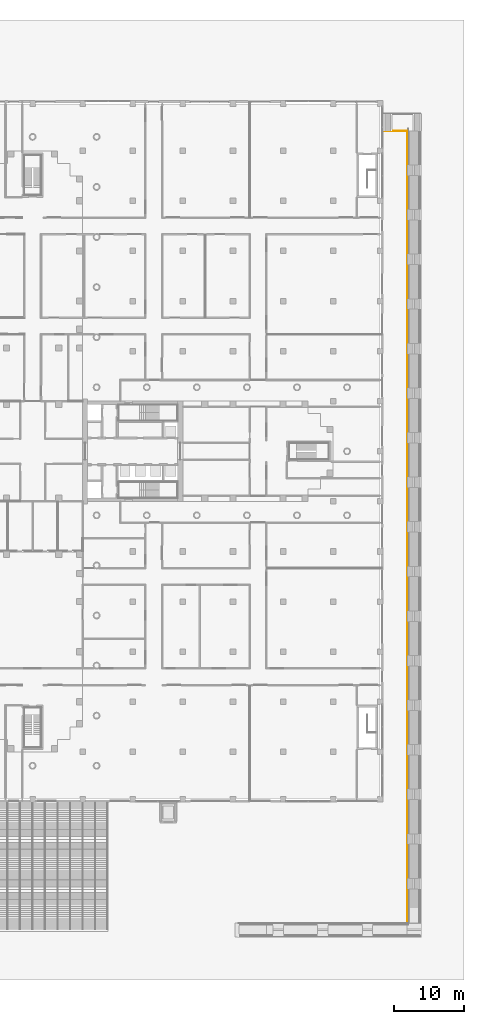
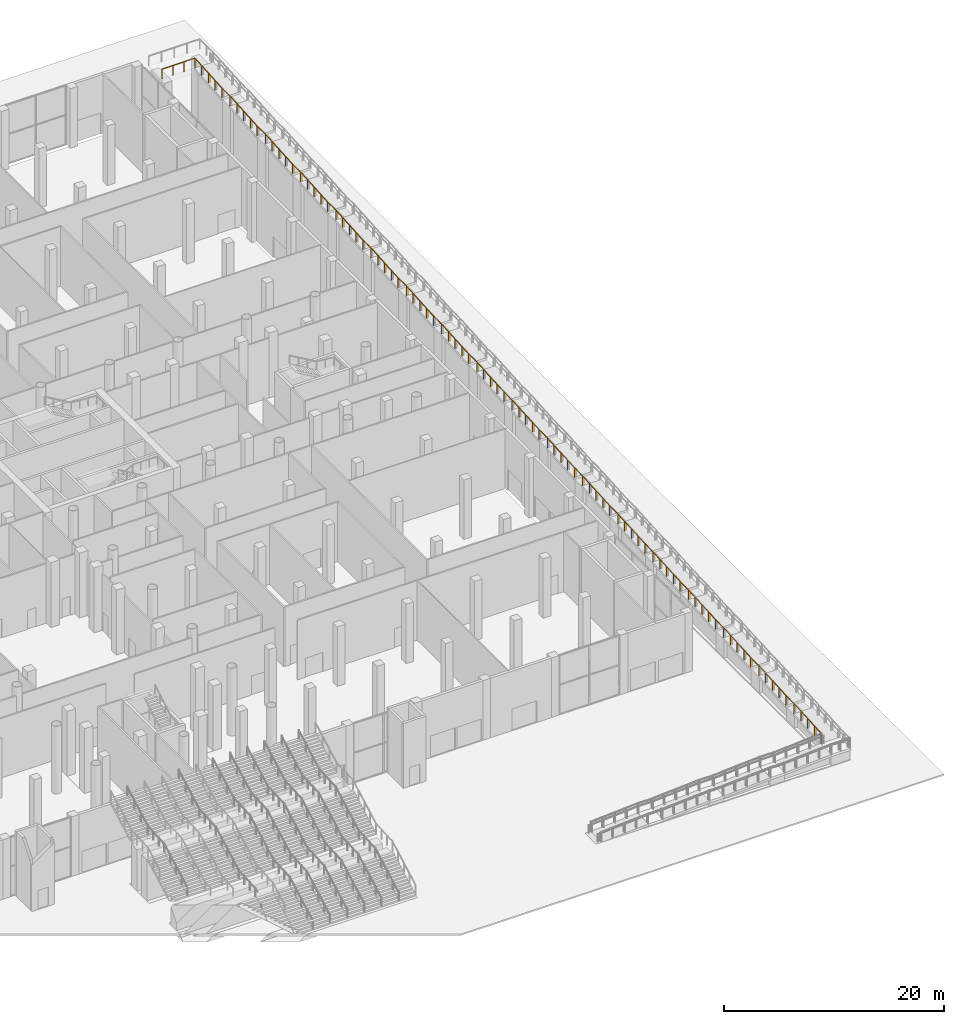
# One storey, part 38 of 44: 1 railing.
"""IFC4 building model written with IfcOpenShell, lengths in metres."""

from ifc_helpers import new_model, si_unit, direction, frame, origin, origin_2d, place, context, subcontext, project, spatial, circle, extrude, material, type_object, element, save


model = new_model("IFC4")

# Units and contexts
model_context = context("Model", 3, precision=1e-05, world=origin(), true_north=direction((0.0, 1.0)))
body_context = subcontext(model_context, "Body", "Model", "MODEL_VIEW")
ifc_project = project(units=[si_unit("LENGTHUNIT", "METRE"), si_unit("AREAUNIT", "SQUARE_METRE"), si_unit("VOLUMEUNIT", "CUBIC_METRE"), si_unit("PLANEANGLEUNIT", "RADIAN"), si_unit("MASSUNIT", "GRAM", prefix="KILO")], contexts=[model_context])

# Site, building, storey
site_placement = place(None, origin())
site = spatial("IfcSite", under=ifc_project, at=site_placement, CompositionType="ELEMENT")
building_placement = place(site_placement, origin())
building = spatial("IfcBuilding", under=site, at=building_placement, Name="Fustian Cross Tower", CompositionType="ELEMENT")
storey_placement = place(building_placement, origin())
storey = spatial("IfcBuildingStorey", under=building, at=storey_placement, Name="L00", CompositionType="ELEMENT", Elevation=0.0)

# Railing
ifc_material = material(Name="Steel S355", Category="steel")
railing_type = type_object("IfcRailingType", Name="STEEL GUARD 1100", PredefinedType="GUARDRAIL", material=ifc_material)
railing_placement = place(storey_placement, frame((53.85009765625, -67.85009765625, 1.30908203125)))
element("IfcRailing", 1, at=railing_placement, inside=storey, type_object=railing_type, Name="Ramp guard inner east leg", PredefinedType="GUARDRAIL", context=body_context, shape_type="SweptSolid", body=[
    extrude(circle(Radius=0.02392578125, at=origin_2d()), frame((0.0, 0.0, 1.076171875), z_axis=(0.0, 1.0, 0.0), x_axis=(-1.0, 0.0, 0.0)), (0.0, 0.0, 1.0), 0.050048828125),
    extrude(circle(Radius=0.02392578125, at=origin_2d()), frame((0.0, 0.050048828125, 1.076171875), z_axis=(0.0, 0.99778362065, 0.066542064616), x_axis=(-1.0, 0.0, 0.0)), (0.0, 0.0, 1.0), 4.920166015625),
    extrude(circle(Radius=0.02392578125, at=origin_2d()), frame((0.0, 4.959228515625, 1.4033203125), z_axis=(0.0, 1.0, 0.0), x_axis=(-1.0, 0.0, 0.0)), (0.0, 0.0, 1.0), 1.5),
    extrude(circle(Radius=0.02392578125, at=origin_2d()), frame((0.0, 6.459228515625, 1.4033203125), z_axis=(0.0, 0.997786694612, 0.066495955179), x_axis=(-1.0, 0.0, 0.0)), (0.0, 0.0, 1.0), 4.919921875),
    extrude(circle(Radius=0.02392578125, at=origin_2d()), frame((0.0, 11.3681640625, 1.73046875), z_axis=(0.0, 1.0, 0.0), x_axis=(-1.0, 0.0, 0.0)), (0.0, 0.0, 1.0), 1.5),
    extrude(circle(Radius=0.02392578125, at=origin_2d()), frame((0.0, 12.8681640625, 1.73046875), z_axis=(0.0, 0.99778362065, 0.066542064616), x_axis=(-1.0, 0.0, 0.0)), (0.0, 0.0, 1.0), 4.920166015625),
    extrude(circle(Radius=0.02392578125, at=origin_2d()), frame((0.0, 17.77734375, 2.05810546875), z_axis=(0.0, 1.0, 0.0), x_axis=(-1.0, 0.0, 0.0)), (0.0, 0.0, 1.0), 1.5),
    extrude(circle(Radius=0.02392578125, at=origin_2d()), frame((0.0, 19.27734375, 2.05810546875), z_axis=(0.0, 0.997786914018, 0.06649266286), x_axis=(-1.0, 0.0, 0.0)), (0.0, 0.0, 1.0), 4.920166015625),
    extrude(circle(Radius=0.02392578125, at=origin_2d()), frame((0.0, 24.1865234375, 2.38525390625), z_axis=(0.0, 1.0, 0.0), x_axis=(-1.0, 0.0, 0.0)), (0.0, 0.0, 1.0), 1.5),
    extrude(circle(Radius=0.02392578125, at=origin_2d()), frame((0.0, 25.6865234375, 2.38525390625), z_axis=(0.0, 0.997783400918, 0.066545359359), x_axis=(-1.0, 0.0, 0.0)), (0.0, 0.0, 1.0), 4.919921875),
    extrude(circle(Radius=0.02392578125, at=origin_2d()), frame((0.0, 30.595458984375, 2.71240234375), z_axis=(0.0, 1.0, 0.0), x_axis=(-1.0, 0.0, 0.0)), (0.0, 0.0, 1.0), 1.5),
    extrude(circle(Radius=0.02392578125, at=origin_2d()), frame((0.0, 32.095458984375, 2.71240234375), z_axis=(0.0, 0.997786914018, 0.06649266286), x_axis=(-1.0, 0.0, 0.0)), (0.0, 0.0, 1.0), 4.920166015625),
    extrude(circle(Radius=0.02392578125, at=origin_2d()), frame((0.0, 37.004638671875, 3.03955078125), z_axis=(0.0, 1.0, 0.0), x_axis=(-1.0, 0.0, 0.0)), (0.0, 0.0, 1.0), 1.5),
    extrude(circle(Radius=0.02392578125, at=origin_2d()), frame((0.0, 38.504638671875, 3.03955078125), z_axis=(0.0, 0.99778362065, 0.066542064616), x_axis=(-1.0, 0.0, 0.0)), (0.0, 0.0, 1.0), 4.920166015625),
    extrude(circle(Radius=0.02392578125, at=origin_2d()), frame((0.0, 43.413818359375, 3.3671875), z_axis=(0.0, 1.0, 0.0), x_axis=(-1.0, 0.0, 0.0)), (0.0, 0.0, 1.0), 1.5),
    extrude(circle(Radius=0.02392578125, at=origin_2d()), frame((0.0, 44.913818359375, 3.3671875), z_axis=(0.0, 0.997786694612, 0.066495955179), x_axis=(-1.0, 0.0, 0.0)), (0.0, 0.0, 1.0), 4.919921875),
    extrude(circle(Radius=0.02392578125, at=origin_2d()), frame((0.0, 49.82275390625, 3.6943359375), z_axis=(0.0, 1.0, 0.0), x_axis=(-1.0, 0.0, 0.0)), (0.0, 0.0, 1.0), 1.5),
    extrude(circle(Radius=0.02392578125, at=origin_2d()), frame((0.0, 51.32275390625, 3.6943359375), z_axis=(0.0, 0.99778362065, 0.066542064616), x_axis=(-1.0, 0.0, 0.0)), (0.0, 0.0, 1.0), 4.920166015625),
    extrude(circle(Radius=0.02392578125, at=origin_2d()), frame((0.0, 56.23193359375, 4.021484375), z_axis=(0.0, 1.0, 0.0), x_axis=(-1.0, 0.0, 0.0)), (0.0, 0.0, 1.0), 1.5),
    extrude(circle(Radius=0.02392578125, at=origin_2d()), frame((0.0, 57.73193359375, 4.021484375), z_axis=(0.0, 0.997786914018, 0.06649266286), x_axis=(-1.0, 0.0, 0.0)), (0.0, 0.0, 1.0), 4.920166015625),
    extrude(circle(Radius=0.02392578125, at=origin_2d()), frame((0.0, 62.64111328125, 4.3486328125), z_axis=(0.0, 1.0, 0.0), x_axis=(-1.0, 0.0, 0.0)), (0.0, 0.0, 1.0), 1.5),
    extrude(circle(Radius=0.02392578125, at=origin_2d()), frame((0.0, 64.14111328125, 4.3486328125), z_axis=(0.0, 0.997783400918, 0.066545359359), x_axis=(-1.0, 0.0, 0.0)), (0.0, 0.0, 1.0), 4.919921875),
    extrude(circle(Radius=0.02392578125, at=origin_2d()), frame((0.0, 69.050048828125, 4.67626953125), z_axis=(0.0, 1.0, 0.0), x_axis=(-1.0, 0.0, 0.0)), (0.0, 0.0, 1.0), 1.5),
    extrude(circle(Radius=0.02392578125, at=origin_2d()), frame((0.0, 70.550048828125, 4.67626953125), z_axis=(0.0, 0.997786914018, 0.06649266286), x_axis=(-1.0, 0.0, 0.0)), (0.0, 0.0, 1.0), 4.920166015625),
    extrude(circle(Radius=0.02392578125, at=origin_2d()), frame((0.0, 75.459228515625, 5.00341796875), z_axis=(0.0, 1.0, 0.0), x_axis=(-1.0, 0.0, 0.0)), (0.0, 0.0, 1.0), 1.5),
    extrude(circle(Radius=0.02392578125, at=origin_2d()), frame((0.0, 76.959228515625, 5.00341796875), z_axis=(0.0, 0.997783400918, 0.066545359359), x_axis=(-1.0, 0.0, 0.0)), (0.0, 0.0, 1.0), 4.919921875),
    extrude(circle(Radius=0.02392578125, at=origin_2d()), frame((0.0, 81.8681640625, 5.33056640625), z_axis=(0.0, 1.0, 0.0), x_axis=(-1.0, 0.0, 0.0)), (0.0, 0.0, 1.0), 1.5),
    extrude(circle(Radius=0.02392578125, at=origin_2d()), frame((0.0, 83.3681640625, 5.33056640625), z_axis=(0.0, 0.997786914018, 0.06649266286), x_axis=(-1.0, 0.0, 0.0)), (0.0, 0.0, 1.0), 4.920166015625),
    extrude(circle(Radius=0.02392578125, at=origin_2d()), frame((0.0, 88.27734375, 5.65771484375), z_axis=(0.0, 1.0, 0.0), x_axis=(-1.0, 0.0, 0.0)), (0.0, 0.0, 1.0), 1.5),
    extrude(circle(Radius=0.02392578125, at=origin_2d()), frame((0.0, 89.77734375, 5.65771484375), z_axis=(0.0, 0.99778362065, 0.066542064616), x_axis=(-1.0, 0.0, 0.0)), (0.0, 0.0, 1.0), 4.920166015625),
    extrude(circle(Radius=0.02392578125, at=origin_2d()), frame((0.0, 94.6865234375, 5.9853515625), z_axis=(0.0, 1.0, 0.0), x_axis=(-1.0, 0.0, 0.0)), (0.0, 0.0, 1.0), 1.5),
    extrude(circle(Radius=0.02392578125, at=origin_2d()), frame((0.0, 96.1865234375, 5.9853515625), z_axis=(0.0, 0.997786694612, 0.066495955179), x_axis=(-1.0, 0.0, 0.0)), (0.0, 0.0, 1.0), 4.919921875),
    extrude(circle(Radius=0.02392578125, at=origin_2d()), frame((0.0, 101.095458984375, 6.3125), z_axis=(0.0, 1.0, 0.0), x_axis=(-1.0, 0.0, 0.0)), (0.0, 0.0, 1.0), 1.5),
    extrude(circle(Radius=0.02392578125, at=origin_2d()), frame((0.0, 102.595458984375, 6.3125), z_axis=(0.0, 0.99778362065, 0.066542064616), x_axis=(-1.0, 0.0, 0.0)), (0.0, 0.0, 1.0), 4.920166015625),
    extrude(circle(Radius=0.02392578125, at=origin_2d()), frame((0.0, 107.504638671875, 6.6396484375), z_axis=(0.0, 1.0, 0.0), x_axis=(-1.0, 0.0, 0.0)), (0.0, 0.0, 1.0), 1.5),
    extrude(circle(Radius=0.02392578125, at=origin_2d()), frame((0.0, 109.004638671875, 6.6396484375), z_axis=(0.0, 0.997786914018, 0.06649266286), x_axis=(-1.0, 0.0, 0.0)), (0.0, 0.0, 1.0), 4.920166015625),
    extrude(circle(Radius=0.02392578125, at=origin_2d()), frame((0.0, 113.913818359375, 6.966796875), z_axis=(-1.0, 0.0, 0.0), x_axis=(0.0, -1.0, 0.0)), (0.0, 0.0, 1.0), 3.4501953125),
    extrude(circle(Radius=0.02099609375, at=origin_2d()), origin(), (0.0, 0.0, 1.0), 1.052001953125),
    extrude(circle(Radius=0.02099609375, at=origin_2d()), frame((0.0, 0.050048828125, 0.0)), (0.0, 0.0, 1.0), 1.052001953125),
    extrude(circle(Radius=0.02099609375, at=origin_2d()), frame((0.0, 1.27734375, 0.081787109375)), (0.0, 0.0, 1.0), 1.052001953125),
    extrude(circle(Radius=0.02099609375, at=origin_2d()), frame((0.0, 2.504638671875, 0.16357421875)), (0.0, 0.0, 1.0), 1.052001953125),
    extrude(circle(Radius=0.02099609375, at=origin_2d()), frame((0.0, 3.73193359375, 0.24560546875)), (0.0, 0.0, 1.0), 1.052001953125),
    extrude(circle(Radius=0.02099609375, at=origin_2d()), frame((0.0, 4.959228515625, 0.327392578125)), (0.0, 0.0, 1.0), 1.052001953125),
    extrude(circle(Radius=0.02099609375, at=origin_2d()), frame((0.0, 6.459228515625, 0.327392578125)), (0.0, 0.0, 1.0), 1.052001953125),
    extrude(circle(Radius=0.02099609375, at=origin_2d()), frame((0.0, 7.6865234375, 0.4091796875)), (0.0, 0.0, 1.0), 1.052001953125),
    extrude(circle(Radius=0.02099609375, at=origin_2d()), frame((0.0, 8.91357421875, 0.490966796875)), (0.0, 0.0, 1.0), 1.052001953125),
    extrude(circle(Radius=0.02099609375, at=origin_2d()), frame((0.0, 10.140869140625, 0.57275390625)), (0.0, 0.0, 1.0), 1.052001953125),
    extrude(circle(Radius=0.02099609375, at=origin_2d()), frame((0.0, 11.3681640625, 0.654541015625)), (0.0, 0.0, 1.0), 1.052001953125),
    extrude(circle(Radius=0.02099609375, at=origin_2d()), frame((0.0, 12.8681640625, 0.654541015625)), (0.0, 0.0, 1.0), 1.052001953125),
    extrude(circle(Radius=0.02099609375, at=origin_2d()), frame((0.0, 14.095458984375, 0.736328125)), (0.0, 0.0, 1.0), 1.052001953125),
    extrude(circle(Radius=0.02099609375, at=origin_2d()), frame((0.0, 15.32275390625, 0.818359375)), (0.0, 0.0, 1.0), 1.052001953125),
    extrude(circle(Radius=0.02099609375, at=origin_2d()), frame((0.0, 16.550048828125, 0.900146484375)), (0.0, 0.0, 1.0), 1.052001953125),
    extrude(circle(Radius=0.02099609375, at=origin_2d()), frame((0.0, 17.77734375, 0.98193359375)), (0.0, 0.0, 1.0), 1.052001953125),
    extrude(circle(Radius=0.02099609375, at=origin_2d()), frame((0.0, 19.27734375, 0.98193359375)), (0.0, 0.0, 1.0), 1.052001953125),
    extrude(circle(Radius=0.02099609375, at=origin_2d()), frame((0.0, 20.504638671875, 1.063720703125)), (0.0, 0.0, 1.0), 1.052001953125),
    extrude(circle(Radius=0.02099609375, at=origin_2d()), frame((0.0, 21.73193359375, 1.1455078125)), (0.0, 0.0, 1.0), 1.052001953125),
    extrude(circle(Radius=0.02099609375, at=origin_2d()), frame((0.0, 22.959228515625, 1.227294921875)), (0.0, 0.0, 1.0), 1.052001953125),
    extrude(circle(Radius=0.02099609375, at=origin_2d()), frame((0.0, 24.1865234375, 1.30908203125)), (0.0, 0.0, 1.0), 1.052001953125),
    extrude(circle(Radius=0.02099609375, at=origin_2d()), frame((0.0, 25.6865234375, 1.30908203125)), (0.0, 0.0, 1.0), 1.052001953125),
    extrude(circle(Radius=0.02099609375, at=origin_2d()), frame((0.0, 26.913818359375, 1.390869140625)), (0.0, 0.0, 1.0), 1.052001953125),
    extrude(circle(Radius=0.02099609375, at=origin_2d()), frame((0.0, 28.14111328125, 1.47265625)), (0.0, 0.0, 1.0), 1.052001953125),
    extrude(circle(Radius=0.02099609375, at=origin_2d()), frame((0.0, 29.3681640625, 1.5546875)), (0.0, 0.0, 1.0), 1.052001953125),
    extrude(circle(Radius=0.02099609375, at=origin_2d()), frame((0.0, 30.595458984375, 1.636474609375)), (0.0, 0.0, 1.0), 1.052001953125),
    extrude(circle(Radius=0.02099609375, at=origin_2d()), frame((0.0, 32.095458984375, 1.636474609375)), (0.0, 0.0, 1.0), 1.052001953125),
    extrude(circle(Radius=0.02099609375, at=origin_2d()), frame((0.0, 33.32275390625, 1.71826171875)), (0.0, 0.0, 1.0), 1.052001953125),
    extrude(circle(Radius=0.02099609375, at=origin_2d()), frame((0.0, 34.550048828125, 1.800048828125)), (0.0, 0.0, 1.0), 1.052001953125),
    extrude(circle(Radius=0.02099609375, at=origin_2d()), frame((0.0, 35.77734375, 1.8818359375)), (0.0, 0.0, 1.0), 1.052001953125),
    extrude(circle(Radius=0.02099609375, at=origin_2d()), frame((0.0, 37.004638671875, 1.963623046875)), (0.0, 0.0, 1.0), 1.052001953125),
    extrude(circle(Radius=0.02099609375, at=origin_2d()), frame((0.0, 38.504638671875, 1.963623046875)), (0.0, 0.0, 1.0), 1.052001953125),
    extrude(circle(Radius=0.02099609375, at=origin_2d()), frame((0.0, 39.73193359375, 2.04541015625)), (0.0, 0.0, 1.0), 1.052001953125),
    extrude(circle(Radius=0.02099609375, at=origin_2d()), frame((0.0, 40.959228515625, 2.12744140625)), (0.0, 0.0, 1.0), 1.052001953125),
    extrude(circle(Radius=0.02099609375, at=origin_2d()), frame((0.0, 42.1865234375, 2.209228515625)), (0.0, 0.0, 1.0), 1.052001953125),
    extrude(circle(Radius=0.02099609375, at=origin_2d()), frame((0.0, 43.413818359375, 2.291015625)), (0.0, 0.0, 1.0), 1.052001953125),
    extrude(circle(Radius=0.02099609375, at=origin_2d()), frame((0.0, 44.913818359375, 2.291015625)), (0.0, 0.0, 1.0), 1.052001953125),
    extrude(circle(Radius=0.02099609375, at=origin_2d()), frame((0.0, 46.14111328125, 2.372802734375)), (0.0, 0.0, 1.0), 1.052001953125),
    extrude(circle(Radius=0.02099609375, at=origin_2d()), frame((0.0, 47.3681640625, 2.45458984375)), (0.0, 0.0, 1.0), 1.052001953125),
    extrude(circle(Radius=0.02099609375, at=origin_2d()), frame((0.0, 48.595458984375, 2.536376953125)), (0.0, 0.0, 1.0), 1.052001953125),
    extrude(circle(Radius=0.02099609375, at=origin_2d()), frame((0.0, 49.82275390625, 2.6181640625)), (0.0, 0.0, 1.0), 1.052001953125),
    extrude(circle(Radius=0.02099609375, at=origin_2d()), frame((0.0, 51.32275390625, 2.6181640625)), (0.0, 0.0, 1.0), 1.052001953125),
    extrude(circle(Radius=0.02099609375, at=origin_2d()), frame((0.0, 52.550048828125, 2.699951171875)), (0.0, 0.0, 1.0), 1.052001953125),
    extrude(circle(Radius=0.02099609375, at=origin_2d()), frame((0.0, 53.77734375, 2.78173828125)), (0.0, 0.0, 1.0), 1.052001953125),
    extrude(circle(Radius=0.02099609375, at=origin_2d()), frame((0.0, 55.004638671875, 2.86376953125)), (0.0, 0.0, 1.0), 1.052001953125),
    extrude(circle(Radius=0.02099609375, at=origin_2d()), frame((0.0, 56.23193359375, 2.945556640625)), (0.0, 0.0, 1.0), 1.052001953125),
    extrude(circle(Radius=0.02099609375, at=origin_2d()), frame((0.0, 57.73193359375, 2.945556640625)), (0.0, 0.0, 1.0), 1.052001953125),
    extrude(circle(Radius=0.02099609375, at=origin_2d()), frame((0.0, 58.959228515625, 3.02734375)), (0.0, 0.0, 1.0), 1.052001953125),
    extrude(circle(Radius=0.02099609375, at=origin_2d()), frame((0.0, 60.1865234375, 3.109130859375)), (0.0, 0.0, 1.0), 1.052001953125),
    extrude(circle(Radius=0.02099609375, at=origin_2d()), frame((0.0, 61.413818359375, 3.19091796875)), (0.0, 0.0, 1.0), 1.052001953125),
    extrude(circle(Radius=0.02099609375, at=origin_2d()), frame((0.0, 62.64111328125, 3.272705078125)), (0.0, 0.0, 1.0), 1.052001953125),
    extrude(circle(Radius=0.02099609375, at=origin_2d()), frame((0.0, 64.14111328125, 3.272705078125)), (0.0, 0.0, 1.0), 1.052001953125),
    extrude(circle(Radius=0.02099609375, at=origin_2d()), frame((0.0, 65.368408203125, 3.3544921875)), (0.0, 0.0, 1.0), 1.052001953125),
    extrude(circle(Radius=0.02099609375, at=origin_2d()), frame((0.0, 66.595703125, 3.4365234375)), (0.0, 0.0, 1.0), 1.052001953125),
    extrude(circle(Radius=0.02099609375, at=origin_2d()), frame((0.0, 67.82275390625, 3.518310546875)), (0.0, 0.0, 1.0), 1.052001953125),
    extrude(circle(Radius=0.02099609375, at=origin_2d()), frame((0.0, 69.050048828125, 3.60009765625)), (0.0, 0.0, 1.0), 1.052001953125),
    extrude(circle(Radius=0.02099609375, at=origin_2d()), frame((0.0, 70.550048828125, 3.60009765625)), (0.0, 0.0, 1.0), 1.052001953125),
    extrude(circle(Radius=0.02099609375, at=origin_2d()), frame((0.0, 71.77734375, 3.681884765625)), (0.0, 0.0, 1.0), 1.052001953125),
    extrude(circle(Radius=0.02099609375, at=origin_2d()), frame((0.0, 73.004638671875, 3.763671875)), (0.0, 0.0, 1.0), 1.052001953125),
    extrude(circle(Radius=0.02099609375, at=origin_2d()), frame((0.0, 74.23193359375, 3.845458984375)), (0.0, 0.0, 1.0), 1.052001953125),
    extrude(circle(Radius=0.02099609375, at=origin_2d()), frame((0.0, 75.459228515625, 3.92724609375)), (0.0, 0.0, 1.0), 1.052001953125),
    extrude(circle(Radius=0.02099609375, at=origin_2d()), frame((0.0, 76.959228515625, 3.92724609375)), (0.0, 0.0, 1.0), 1.052001953125),
    extrude(circle(Radius=0.02099609375, at=origin_2d()), frame((0.0, 78.1865234375, 4.009033203125)), (0.0, 0.0, 1.0), 1.052001953125),
    extrude(circle(Radius=0.02099609375, at=origin_2d()), frame((0.0, 79.41357421875, 4.0908203125)), (0.0, 0.0, 1.0), 1.052001953125),
    extrude(circle(Radius=0.02099609375, at=origin_2d()), frame((0.0, 80.640869140625, 4.1728515625)), (0.0, 0.0, 1.0), 1.052001953125),
    extrude(circle(Radius=0.02099609375, at=origin_2d()), frame((0.0, 81.8681640625, 4.254638671875)), (0.0, 0.0, 1.0), 1.052001953125),
    extrude(circle(Radius=0.02099609375, at=origin_2d()), frame((0.0, 83.3681640625, 4.254638671875)), (0.0, 0.0, 1.0), 1.052001953125),
    extrude(circle(Radius=0.02099609375, at=origin_2d()), frame((0.0, 84.595458984375, 4.33642578125)), (0.0, 0.0, 1.0), 1.052001953125),
    extrude(circle(Radius=0.02099609375, at=origin_2d()), frame((0.0, 85.82275390625, 4.418212890625)), (0.0, 0.0, 1.0), 1.052001953125),
    extrude(circle(Radius=0.02099609375, at=origin_2d()), frame((0.0, 87.050048828125, 4.5)), (0.0, 0.0, 1.0), 1.052001953125),
    extrude(circle(Radius=0.02099609375, at=origin_2d()), frame((0.0, 88.27734375, 4.581787109375)), (0.0, 0.0, 1.0), 1.052001953125),
    extrude(circle(Radius=0.02099609375, at=origin_2d()), frame((0.0, 89.77734375, 4.581787109375)), (0.0, 0.0, 1.0), 1.052001953125),
    extrude(circle(Radius=0.02099609375, at=origin_2d()), frame((0.0, 91.004638671875, 4.66357421875)), (0.0, 0.0, 1.0), 1.052001953125),
    extrude(circle(Radius=0.02099609375, at=origin_2d()), frame((0.0, 92.23193359375, 4.74560546875)), (0.0, 0.0, 1.0), 1.052001953125),
    extrude(circle(Radius=0.02099609375, at=origin_2d()), frame((0.0, 93.459228515625, 4.827392578125)), (0.0, 0.0, 1.0), 1.052001953125),
    extrude(circle(Radius=0.02099609375, at=origin_2d()), frame((0.0, 94.6865234375, 4.9091796875)), (0.0, 0.0, 1.0), 1.052001953125),
    extrude(circle(Radius=0.02099609375, at=origin_2d()), frame((0.0, 96.1865234375, 4.9091796875)), (0.0, 0.0, 1.0), 1.052001953125),
    extrude(circle(Radius=0.02099609375, at=origin_2d()), frame((0.0, 97.413818359375, 4.990966796875)), (0.0, 0.0, 1.0), 1.052001953125),
    extrude(circle(Radius=0.02099609375, at=origin_2d()), frame((0.0, 98.64111328125, 5.07275390625)), (0.0, 0.0, 1.0), 1.052001953125),
    extrude(circle(Radius=0.02099609375, at=origin_2d()), frame((0.0, 99.8681640625, 5.154541015625)), (0.0, 0.0, 1.0), 1.052001953125),
    extrude(circle(Radius=0.02099609375, at=origin_2d()), frame((0.0, 101.095458984375, 5.236328125)), (0.0, 0.0, 1.0), 1.052001953125),
    extrude(circle(Radius=0.02099609375, at=origin_2d()), frame((0.0, 102.595458984375, 5.236328125)), (0.0, 0.0, 1.0), 1.052001953125),
    extrude(circle(Radius=0.02099609375, at=origin_2d()), frame((0.0, 103.82275390625, 5.318115234375)), (0.0, 0.0, 1.0), 1.052001953125),
    extrude(circle(Radius=0.02099609375, at=origin_2d()), frame((0.0, 105.050048828125, 5.39990234375)), (0.0, 0.0, 1.0), 1.052001953125),
    extrude(circle(Radius=0.02099609375, at=origin_2d()), frame((0.0, 106.27734375, 5.48193359375)), (0.0, 0.0, 1.0), 1.052001953125),
    extrude(circle(Radius=0.02099609375, at=origin_2d()), frame((0.0, 107.504638671875, 5.563720703125)), (0.0, 0.0, 1.0), 1.052001953125),
    extrude(circle(Radius=0.02099609375, at=origin_2d()), frame((0.0, 109.004638671875, 5.563720703125)), (0.0, 0.0, 1.0), 1.052001953125),
    extrude(circle(Radius=0.02099609375, at=origin_2d()), frame((0.0, 110.23193359375, 5.6455078125)), (0.0, 0.0, 1.0), 1.052001953125),
    extrude(circle(Radius=0.02099609375, at=origin_2d()), frame((0.0, 111.459228515625, 5.727294921875)), (0.0, 0.0, 1.0), 1.052001953125),
    extrude(circle(Radius=0.02099609375, at=origin_2d()), frame((0.0, 112.6865234375, 5.80908203125)), (0.0, 0.0, 1.0), 1.052001953125),
    extrude(circle(Radius=0.02099609375, at=origin_2d()), frame((0.0, 113.913818359375, 5.890869140625)), (0.0, 0.0, 1.0), 1.052001953125),
    extrude(circle(Radius=0.02099609375, at=origin_2d()), frame((-1.150146484375, 113.913818359375, 5.890869140625)), (0.0, 0.0, 1.0), 1.052001953125),
    extrude(circle(Radius=0.02099609375, at=origin_2d()), frame((-2.300048828125, 113.913818359375, 5.890869140625)), (0.0, 0.0, 1.0), 1.052001953125),
    extrude(circle(Radius=0.02099609375, at=origin_2d()), frame((-3.4501953125, 113.913818359375, 5.890869140625)), (0.0, 0.0, 1.0), 1.052001953125),
])

save(model, "model.ifc")
